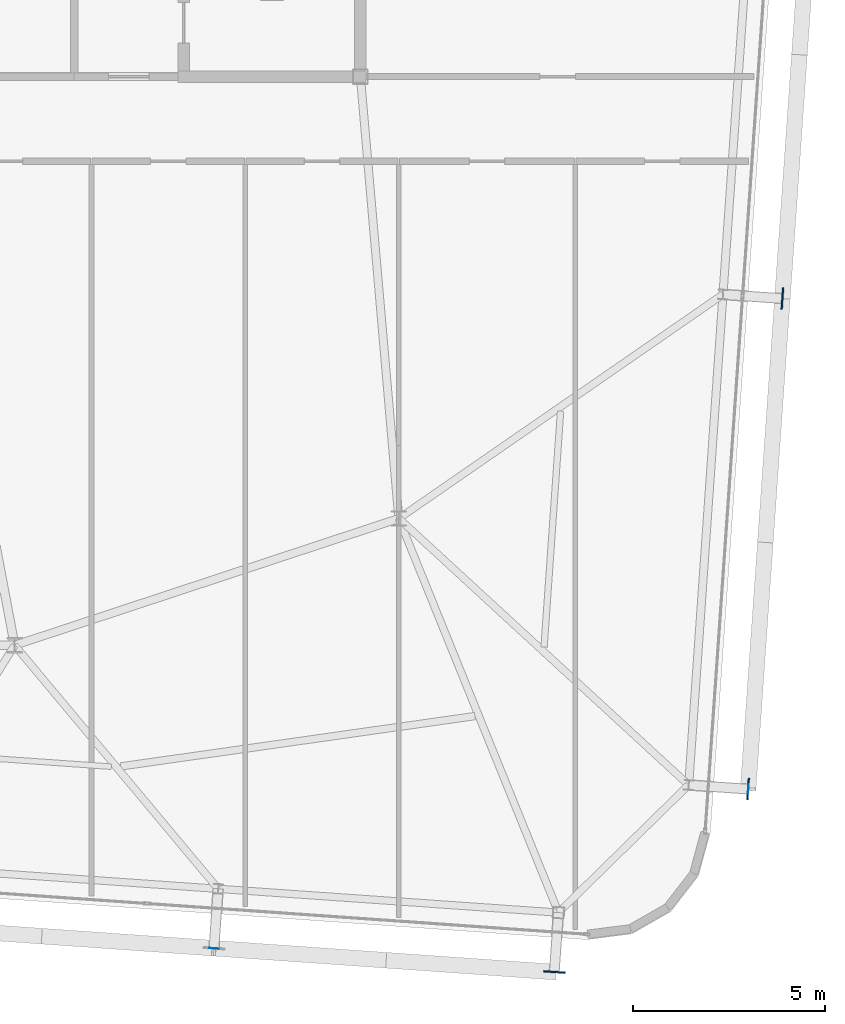
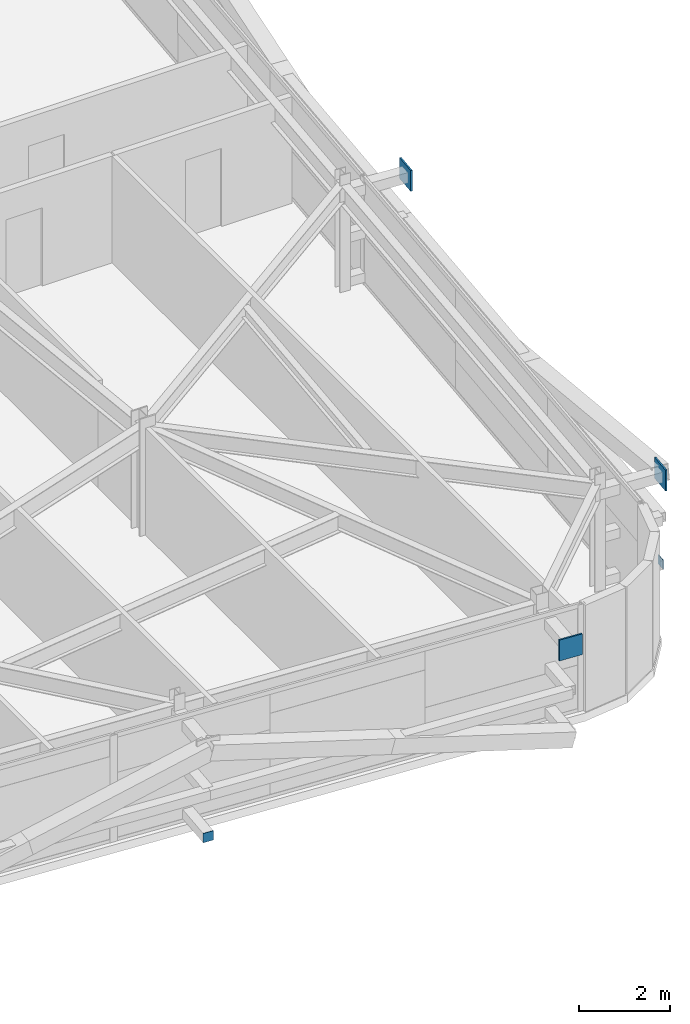
# One storey, part 30 of 39: 5 plates.
"""IFC4 building model written with IfcOpenShell, lengths in metres."""

from ifc_helpers import new_model, si_unit, direction, frame, origin, origin_2d, place, context, subcontext, project, spatial, rectangle, extrude, source, transform, mapped, material, layer, layer_set, type_object, element, save


model = new_model("IFC4")

# Units and contexts
model_context = context("Model", 3, precision=1e-05, world=origin(), true_north=direction((0.0, 1.0)))
body_context = subcontext(model_context, "Body", "Model", "MODEL_VIEW")
ifc_project = project(units=[si_unit("LENGTHUNIT", "METRE"), si_unit("AREAUNIT", "SQUARE_METRE"), si_unit("VOLUMEUNIT", "CUBIC_METRE"), si_unit("PLANEANGLEUNIT", "RADIAN"), si_unit("MASSUNIT", "GRAM", prefix="KILO")], contexts=[model_context])

# Site, building, storey
site_placement = place(None, origin())
site = spatial("IfcSite", under=ifc_project, at=site_placement, CompositionType="ELEMENT")
building_placement = place(site_placement, origin())
building = spatial("IfcBuilding", under=site, at=building_placement, Name="Taldren Reach Tower", CompositionType="ELEMENT")
storey_placement = place(building_placement, frame((0.0, 0.0, 161.35009765625)))
storey = spatial("IfcBuildingStorey", under=building, at=storey_placement, Name="L49", CompositionType="ELEMENT", Elevation=161.35009765625)

# Plates
ifc_material_1 = material(Name="Steel Gr 450 (C450L0)", Category="steel")
ifc_layer_1 = layer(ifc_material_1, 0.0400390625)
ifc_layer_set_1 = layer_set([ifc_layer_1], Name="Steel Gr 450 (C450L0)")
plate_type_1 = type_object("IfcPlateType", Name="PL-GUSSET-40", PredefinedType="SHEET", material=ifc_layer_set_1)
shared_shape_1 = source(origin(), body_context, "Body", "SweptSolid", [
    extrude(rectangle(XDim=0.56005859375, YDim=0.0400390625, at=origin_2d()), origin(), (0.0, 0.0, 1.0), 0.56005859375),
])
for number, where, z_axis, x_axis, name in (
    (1, (56.04736328125, 0.695068359375, 2.309814453125), (0.0, 0.0, 1.0), (0.99756405026, -0.069756473744, 0.0), "Exoskeleton star-node gusset plate B3-S6 L49"),
    (2, (61.091552734375, 5.454833984375, 2.309814453125), (0.0, 0.0, 1.0), (0.069756473744, 0.99756405026, 0.0), "Exoskeleton star-node gusset plate B3-E1 L49"),
    (3, (61.984375, 18.2236328125, 2.309814453125), (0.0, 0.0, 1.0), (0.069756473744, 0.99756405026, 0.0), "Exoskeleton star-node gusset plate B3-E2 L49"),
):
    element("IfcPlate", number, at=place(storey_placement, frame(where, z_axis=z_axis, x_axis=x_axis)), inside=storey, type_object=plate_type_1, Name=name, PredefinedType="SHEET", context=body_context, shape_type="MappedRepresentation", body=[
        mapped(shared_shape_1, transform((0.0, 0.0, 0.0), scale=1.0)),
    ])
ifc_material_2 = material(Name="Steel Gr 350 (C350L0)", Category="steel")
ifc_layer_2 = layer(ifc_material_2, 0.011962890625)
ifc_layer_set_2 = layer_set([ifc_layer_2], Name="Steel Gr 350 (C350L0)")
plate_type_2 = type_object("IfcPlateType", Name="PL-CAP-250", PredefinedType="SHEET", material=ifc_layer_set_2)
shared_shape_2 = source(origin(), body_context, "Body", "SweptSolid", [
    extrude(rectangle(XDim=0.25, YDim=0.011962890625, at=origin_2d()), origin(), (0.0, 0.0, 1.0), 0.25),
])
plate_1_placement = place(storey_placement, frame((47.1884765625, 1.308349609375, 0.094970703125), z_axis=(0.0, 0.0, 1.0), x_axis=(0.99756405026, -0.069756473744, 0.0)))
element("IfcPlate", 4, at=plate_1_placement, inside=storey, type_object=plate_type_2, Name="Tie strut end cap plate B3-S5 L49", PredefinedType="SHEET", context=body_context, shape_type="MappedRepresentation", body=[
    mapped(shared_shape_2, transform((0.0, 0.0, 0.0), scale=1.0)),
])
shared_shape_3 = source(origin(), body_context, "Body", "SweptSolid", [
    extrude(rectangle(XDim=0.011962890625, YDim=0.25, at=origin_2d()), origin(), (0.0, 0.0, 1.0), 0.25),
])
plate_2_placement = place(storey_placement, frame((61.09765625, 5.454345703125, 0.094970703125), z_axis=(0.0, 0.0, 1.0), x_axis=(0.99756405026, -0.069756473744, 0.0)))
element("IfcPlate", 5, at=plate_2_placement, inside=storey, type_object=plate_type_2, Name="Tie strut end cap plate B3-E1 L49", PredefinedType="SHEET", context=body_context, shape_type="MappedRepresentation", body=[
    mapped(shared_shape_3, transform((0.0, 0.0, 0.0), scale=1.0)),
])

save(model, "model.ifc")
